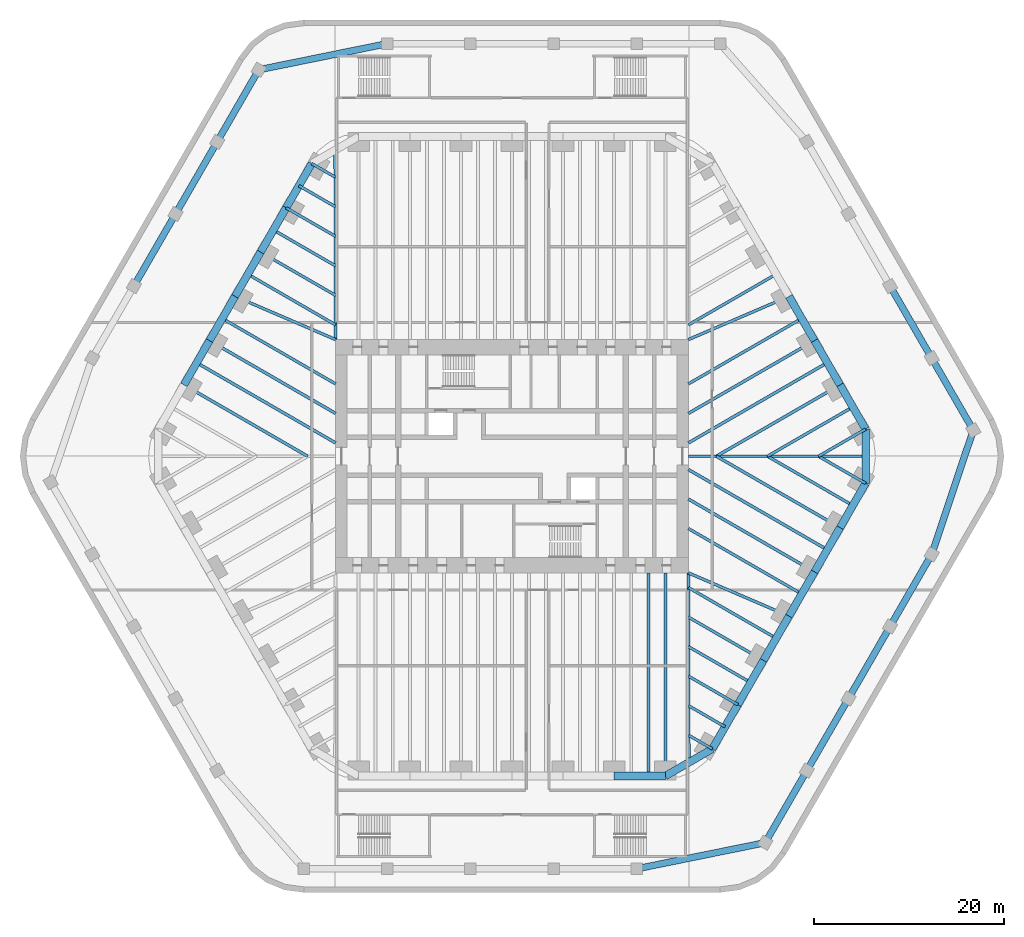
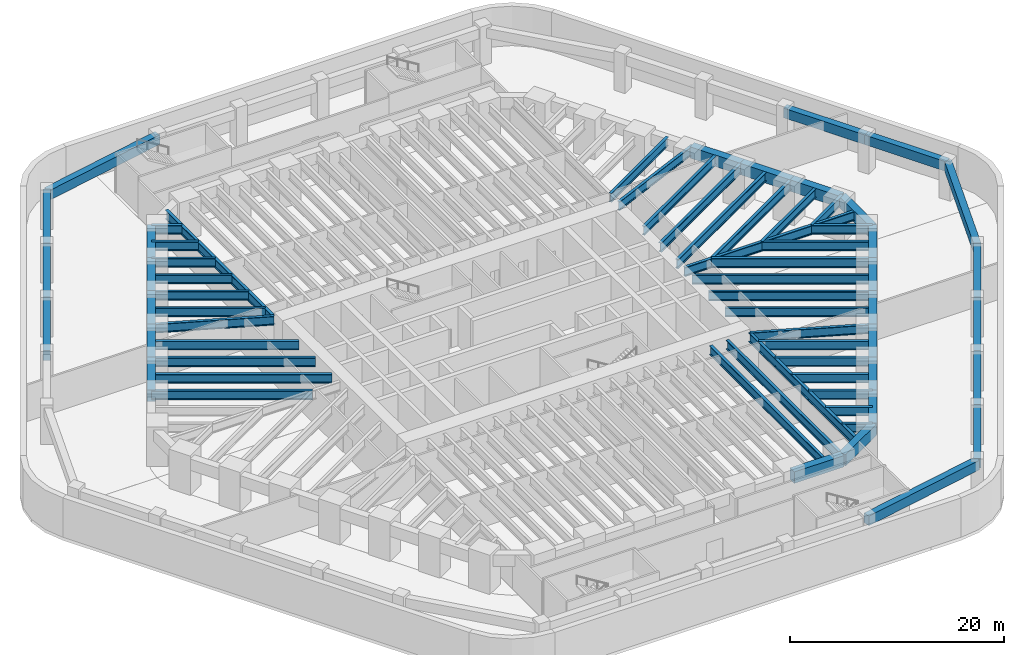
# One storey, part 2 of 12: 66 beams.
"""IFC4 building model written with IfcOpenShell, lengths in metres."""

import ifcopenshell
import ifcopenshell.guid

model = None  # the IFC model being written
_history = None  # IfcOwnerHistory: only IFC2X3 demands one
_inside = {}  # id of a spatial element -> (the spatial element, [elements in it])
_under = {}  # id of a project, library or spatial element -> (it, [spatial elements below it])
_declared = {}  # id of a project -> (the project, [libraries it declares])
_typed = {}  # id of a type object -> (the type object, [elements of that type])
_made_of = {}  # id of a material, layer set ... -> (it, [elements and type objects made of it])


def new_model(schema):
    """Start an empty IFC model of exactly this schema.

    Asked for "IFC4X3", IfcOpenShell would pick the latest addendum, in which some entities
    have other attributes; the version numbers below select the first issue.
    IFC2X3 requires an IfcOwnerHistory on every rooted entity: one is made here for all.
    """
    global model, _history
    if schema == "IFC4X3":
        model = ifcopenshell.file(schema_version=(4, 3, 0, 0))
    else:
        model = ifcopenshell.file(schema=schema)
    _inside.clear()
    _under.clear()
    _declared.clear()
    _typed.clear()
    _made_of.clear()
    _history = None
    if model.schema == "IFC2X3":
        org = make("IfcOrganization", Name="unknown")
        user = make(
            "IfcPersonAndOrganization",
            ThePerson=make("IfcPerson", FamilyName="unknown"),
            TheOrganization=org,
        )
        app = make(
            "IfcApplication",
            ApplicationDeveloper=org,
            Version="unknown",
            ApplicationFullName="unknown",
            ApplicationIdentifier="unknown",
        )
        _history = make(
            "IfcOwnerHistory",
            OwningUser=user,
            OwningApplication=app,
            ChangeAction="ADDED",
            CreationDate=0,
        )
    return model


def make(cls, **values):
    """One entity of the class cls with the attributes given. An attribute that is None is left unset."""
    return model.create_entity(
        cls, **{name: value for name, value in values.items() if value is not None}
    )


def rooted(cls, **values):
    """An entity with a GlobalId (a new one), such as an element, a storey or a relation."""
    return make(cls, GlobalId=ifcopenshell.guid.new(), OwnerHistory=_history, **values)


def si_unit(unit_type, name, prefix=None):
    """IfcSIUnit, for example si_unit("LENGTHUNIT", "METRE", prefix="MILLI")."""
    return make("IfcSIUnit", UnitType=unit_type, Prefix=prefix, Name=name)


def assignment(units):
    """IfcUnitAssignment: the units of a project."""
    return None if units is None else make("IfcUnitAssignment", Units=units)


def point(xyz):
    """IfcCartesianPoint."""
    return None if xyz is None else make("IfcCartesianPoint", Coordinates=xyz)


def direction(xyz):
    """IfcDirection."""
    return None if xyz is None else make("IfcDirection", DirectionRatios=xyz)


def frame(location, z_axis=None, x_axis=None):
    """IfcAxis2Placement3D, a coordinate frame: its origin and axes. An axis left out is left unset."""
    return make(
        "IfcAxis2Placement3D",
        Location=point(location),
        Axis=direction(z_axis),
        RefDirection=direction(x_axis),
    )


def frame_2d(location, x_axis=None):
    """IfcAxis2Placement2D, a coordinate frame in the plane: its origin and x axis."""
    return make(
        "IfcAxis2Placement2D", Location=point(location), RefDirection=direction(x_axis)
    )


def origin():
    """The frame at (0, 0, 0) with its axes left unset."""
    return frame((0.0, 0.0, 0.0))


def origin_2d():
    """The frame at (0, 0) in the plane with its x axis left unset."""
    return frame_2d((0.0, 0.0))


def place(relative_to, where):
    """IfcLocalPlacement: puts the frame where relative to a parent placement (None: the world)."""
    return make(
        "IfcLocalPlacement", PlacementRelTo=relative_to, RelativePlacement=where
    )


def context(
    kind, dimensions, precision=None, world=None, true_north=None, identifier=None
):
    """IfcGeometricRepresentationContext, for example the 3D "Model" context."""
    return make(
        "IfcGeometricRepresentationContext",
        ContextIdentifier=identifier,
        ContextType=kind,
        CoordinateSpaceDimension=dimensions,
        Precision=precision,
        WorldCoordinateSystem=world,
        TrueNorth=true_north,
    )


def subcontext(parent, identifier, kind, view, scale=None):
    """IfcGeometricRepresentationSubContext, for example "Body" below "Model"."""
    return make(
        "IfcGeometricRepresentationSubContext",
        ContextIdentifier=identifier,
        ContextType=kind,
        ParentContext=parent,
        TargetScale=scale,
        TargetView=view,
    )


def project(units=None, contexts=None):
    """IfcProject with its units and contexts."""
    return rooted(
        "IfcProject",
        Name="project",
        RepresentationContexts=contexts,
        UnitsInContext=assignment(units),
    )


def spatial(cls, under=None, at=None, **own):
    """A site, building, storey or space (cls), placed at a placement, below another one or the project."""
    s = rooted(cls, ObjectPlacement=at, **own)
    if under is not None:
        _under.setdefault(under.id(), (under, []))[1].append(s)
    return s


def profile(cls, at=None, kind="AREA", **sizes):
    """A parametric profile (cls). Its sizes go by their IFC names, for example OverallWidth=200.0."""
    return make(cls, ProfileType=kind, Position=at, **sizes)


def rectangle(**sizes):
    """IfcRectangleProfileDef."""
    return profile("IfcRectangleProfileDef", **sizes)


def i_section(**sizes):
    """IfcIShapeProfileDef."""
    return profile("IfcIShapeProfileDef", **sizes)


def extrude(swept, where, along, depth):
    """IfcExtrudedAreaSolid: the profile swept, set in the frame where, extruded along a direction by depth."""
    return make(
        "IfcExtrudedAreaSolid",
        SweptArea=swept,
        Position=where,
        ExtrudedDirection=direction(along),
        Depth=depth,
    )


def shape(context_of_items, identifier, shape_type, items):
    """IfcShapeRepresentation: the items that make up one representation, for example the "Body"."""
    return make(
        "IfcShapeRepresentation",
        ContextOfItems=context_of_items,
        RepresentationIdentifier=identifier,
        RepresentationType=shape_type,
        Items=items,
    )


def material(Name=None, Category=None):
    """IfcMaterial."""
    return make("IfcMaterial", Name=Name, Category=Category)


def material_profile(
    of_material, cross_section, Name=None, Category=None, Priority=None
):
    """IfcMaterialProfile: a cross section and its material."""
    return make(
        "IfcMaterialProfile",
        Name=Name,
        Material=of_material,
        Profile=cross_section,
        Priority=Priority,
        Category=Category,
    )


def profile_set(profiles, Name=None, composite=None):
    """IfcMaterialProfileSet."""
    return make(
        "IfcMaterialProfileSet",
        Name=Name,
        MaterialProfiles=profiles,
        CompositeProfile=composite,
    )


def made_of(thing, what):
    """Note that an element or type object is made of a material, layer set ...; save() writes the relation."""
    if what is not None:
        _made_of.setdefault(what.id(), (what, []))[1].append(thing)
    return thing


def type_object(cls, material=None, **own):
    """A type object (cls), such as IfcWallType, which elements share."""
    return made_of(rooted(cls, **own), material)


def element(
    cls,
    number,
    at=None,
    inside=None,
    cuts=None,
    type_object=None,
    material=None,
    context=None,
    identifier="Body",
    shape_type=None,
    held_by="IfcProductDefinitionShape",
    body=None,
    shapes=None,
    **own,
):
    """One element of the class cls, such as IfcWall. Its Tag is "e" and its number.

    at: its placement. inside: the storey or other place that contains it. cuts: it is an
    opening in that element (IfcRelVoidsElement). A single representation is given by context,
    identifier, shape_type and body (its items); several are given by shapes. held_by: the class
    of the entity that holds the representations. save() writes the other relations.
    """
    e = rooted(cls, Tag="e%d" % number, ObjectPlacement=at, **own)
    if body is not None:
        shapes = [shape(context, identifier, shape_type, body)]
    if shapes is not None:
        e.Representation = make(held_by, Representations=shapes)
    if inside is not None:
        _inside.setdefault(inside.id(), (inside, []))[1].append(e)
    if cuts is not None:
        rooted(
            "IfcRelVoidsElement", RelatingBuildingElement=cuts, RelatedOpeningElement=e
        )
    if type_object is not None:
        _typed.setdefault(type_object.id(), (type_object, []))[1].append(e)
    return made_of(e, material)


def aggregate(whole, parts):
    """IfcRelAggregates: a whole, such as a stair, and the parts it consists of."""
    return rooted("IfcRelAggregates", RelatingObject=whole, RelatedObjects=parts)


def save(model, path):
    """Write the relations noted so far, then the file.

    IfcRelAggregates (storeys below a building ...), IfcRelContainedInSpatialStructure (elements
    in a storey), IfcRelDefinesByType, IfcRelAssociatesMaterial and IfcRelDeclares: one each for
    every whole, place, type object, material and project.
    """
    for whole, parts in _under.values():
        aggregate(whole, parts)
    for where, things in _inside.values():
        rooted(
            "IfcRelContainedInSpatialStructure",
            RelatedElements=things,
            RelatingStructure=where,
        )
    for kind, things in _typed.values():
        rooted("IfcRelDefinesByType", RelatedObjects=things, RelatingType=kind)
    for what, things in _made_of.values():
        rooted("IfcRelAssociatesMaterial", RelatedObjects=things, RelatingMaterial=what)
    for by, libraries in _declared.values():
        rooted("IfcRelDeclares", RelatingContext=by, RelatedDefinitions=libraries)
    model.write(path)


model = new_model("IFC4")

# Units and contexts
model_context = context("Model", 3, precision=1e-05, world=origin(), true_north=direction((0.0, 1.0)))
body_context = subcontext(model_context, "Body", "Model", "MODEL_VIEW")
ifc_project = project(units=[si_unit("LENGTHUNIT", "METRE"), si_unit("AREAUNIT", "SQUARE_METRE"), si_unit("VOLUMEUNIT", "CUBIC_METRE"), si_unit("PLANEANGLEUNIT", "RADIAN"), si_unit("MASSUNIT", "GRAM", prefix="KILO")], contexts=[model_context])

# Site, building, storey
site_placement = place(None, origin())
site = spatial("IfcSite", under=ifc_project, at=site_placement, CompositionType="ELEMENT")
building_placement = place(site_placement, origin())
building = spatial("IfcBuilding", under=site, at=building_placement, Name="Tarfa Lantern Tower", CompositionType="ELEMENT")
storey_placement = place(building_placement, frame((0.0, 0.0, -4.5)))
storey = spatial("IfcBuildingStorey", under=building, at=storey_placement, Name="B1", CompositionType="ELEMENT", Elevation=-4.5)

# Beams
ifc_material_1 = material(Name="Concrete C80/95", Category="concrete")
ifc_material_profile_1 = material_profile(ifc_material_1, rectangle(XDim=0.800048828125, YDim=1.300048828125, at=origin_2d()), Name="RC 800x1300")
ifc_profile_set_1 = profile_set([ifc_material_profile_1], Name="Concrete C80/95")
beam_type_1 = type_object("IfcBeamType", Name="EB1 RC 800x1300", PredefinedType="SPANDREL", material=ifc_profile_set_1)
beam_1_placement = place(storey_placement, frame((37.285400390625, 2.860107421875, 3.5), z_axis=(-0.500017906299, 0.866015065331, 0.0), x_axis=(-0.866015065331, -0.500017906299, 0.0)))
element("IfcBeam", 1, at=beam_1_placement, inside=storey, type_object=beam_type_1, Name="Edge beam NE0", PredefinedType="SPANDREL", context=body_context, shape_type="SweptSolid", body=[
    extrude(rectangle(XDim=0.800048828125, YDim=1.300048828125, at=origin_2d()), origin(), (0.0, 0.0, 1.0), 5.388427734375),
])
for number, where, z_axis, x_axis, name in (
    (2, (34.591064453125, 7.526611328125, 3.5), (-0.499998287579, 0.866026392449, 0.0), (-0.866026392449, -0.499998287579, 0.0), "Edge beam NE1"),
    (3, (31.896728515625, 12.193359375, 3.5), (-0.499998287579, 0.866026392449, 0.0), (-0.866026392449, -0.499998287579, 0.0), "Edge beam NE2"),
    (4, (-21.119384765625, 30.860107421875, 3.5), (-0.499998287579, -0.866026392449, 0.0), (0.866026392449, -0.499998287579, 0.0), "Edge beam NW0"),
    (5, (-23.813720703125, 26.193359375, 3.5), (-0.499998287579, -0.866026392449, 0.0), (0.866026392449, -0.499998287579, 0.0), "Edge beam NW1"),
):
    element("IfcBeam", number, at=place(storey_placement, frame(where, z_axis=z_axis, x_axis=x_axis)), inside=storey, type_object=beam_type_1, Name=name, PredefinedType="SPANDREL", context=body_context, shape_type="SweptSolid", body=[
        extrude(rectangle(XDim=0.800048828125, YDim=1.300048828125, at=origin_2d()), origin(), (0.0, 0.0, 1.0), 5.388671875),
    ])
beam_2_placement = place(storey_placement, frame((-26.508056640625, 21.526611328125, 3.5), z_axis=(-0.500017906299, -0.866015065331, 0.0), x_axis=(0.866015065331, -0.500017906299, 0.0)))
element("IfcBeam", 6, at=beam_2_placement, inside=storey, type_object=beam_type_1, Name="Edge beam NW2", PredefinedType="SPANDREL", context=body_context, shape_type="SweptSolid", body=[
    extrude(rectangle(XDim=0.800048828125, YDim=1.300048828125, at=origin_2d()), origin(), (0.0, 0.0, 1.0), 5.388427734375),
])
for number, where, z_axis, x_axis, name in (
    (7, (-29.202392578125, 16.860107421875, 3.5), (-0.499998287579, -0.866026392449, 0.0), (0.866026392449, -0.499998287579, 0.0), "Edge beam NW3"),
    (8, (-31.896728515625, 12.193359375, 3.5), (-0.499998287579, -0.866026392449, 0.0), (0.866026392449, -0.499998287579, 0.0), "Edge beam NW4"),
    (9, (10.777099609375, -33.719970703125, 3.5), (1.0, 0.0, 0.0), (0.0, 1.0, 0.0), "Edge beam S5"),
):
    element("IfcBeam", number, at=place(storey_placement, frame(where, z_axis=z_axis, x_axis=x_axis)), inside=storey, type_object=beam_type_1, Name=name, PredefinedType="SPANDREL", context=body_context, shape_type="SweptSolid", body=[
        extrude(rectangle(XDim=0.800048828125, YDim=1.300048828125, at=origin_2d()), origin(), (0.0, 0.0, 1.0), 5.388671875),
    ])
beam_3_placement = place(storey_placement, frame((16.165771484375, -33.719970703125, 3.5), z_axis=(0.866033479681, 0.499986011877, 0.0), x_axis=(-0.499986011877, 0.866033479681, 0.0)))
element("IfcBeam", 10, at=beam_3_placement, inside=storey, type_object=beam_type_1, Name="Edge beam S6", PredefinedType="SPANDREL", context=body_context, shape_type="SweptSolid", body=[
    extrude(rectangle(XDim=0.800048828125, YDim=1.300048828125, at=origin_2d()), origin(), (0.0, 0.0, 1.0), 5.719970703125),
])
for number, where, z_axis, x_axis, name in (
    (11, (21.119384765625, -30.860107421875, 3.5), (0.499998287579, 0.866026392449, 0.0), (-0.866026392449, 0.499998287579, 0.0), "Edge beam SE0"),
    (12, (23.813720703125, -26.193359375, 3.5), (0.499998287579, 0.866026392449, 0.0), (-0.866026392449, 0.499998287579, 0.0), "Edge beam SE1"),
):
    element("IfcBeam", number, at=place(storey_placement, frame(where, z_axis=z_axis, x_axis=x_axis)), inside=storey, type_object=beam_type_1, Name=name, PredefinedType="SPANDREL", context=body_context, shape_type="SweptSolid", body=[
        extrude(rectangle(XDim=0.800048828125, YDim=1.300048828125, at=origin_2d()), origin(), (0.0, 0.0, 1.0), 5.388671875),
    ])
beam_4_placement = place(storey_placement, frame((26.508056640625, -21.526611328125, 3.5), z_axis=(0.500017906299, 0.866015065331, 0.0), x_axis=(-0.866015065331, 0.500017906299, 0.0)))
element("IfcBeam", 13, at=beam_4_placement, inside=storey, type_object=beam_type_1, Name="Edge beam SE2", PredefinedType="SPANDREL", context=body_context, shape_type="SweptSolid", body=[
    extrude(rectangle(XDim=0.800048828125, YDim=1.300048828125, at=origin_2d()), origin(), (0.0, 0.0, 1.0), 5.388427734375),
])
for number, where, z_axis, x_axis, name in (
    (14, (29.202392578125, -16.860107421875, 3.5), (0.499998287579, 0.866026392449, 0.0), (-0.866026392449, 0.499998287579, 0.0), "Edge beam SE3"),
    (15, (31.896728515625, -12.193359375, 3.5), (0.499998287579, 0.866026392449, 0.0), (-0.866026392449, 0.499998287579, 0.0), "Edge beam SE4"),
):
    element("IfcBeam", number, at=place(storey_placement, frame(where, z_axis=z_axis, x_axis=x_axis)), inside=storey, type_object=beam_type_1, Name=name, PredefinedType="SPANDREL", context=body_context, shape_type="SweptSolid", body=[
        extrude(rectangle(XDim=0.800048828125, YDim=1.300048828125, at=origin_2d()), origin(), (0.0, 0.0, 1.0), 5.388671875),
    ])
beam_5_placement = place(storey_placement, frame((34.591064453125, -7.526611328125, 3.5), z_axis=(0.500017906299, 0.866015065331, 0.0), x_axis=(-0.866015065331, 0.500017906299, 0.0)))
element("IfcBeam", 16, at=beam_5_placement, inside=storey, type_object=beam_type_1, Name="Edge beam SE5", PredefinedType="SPANDREL", context=body_context, shape_type="SweptSolid", body=[
    extrude(rectangle(XDim=0.800048828125, YDim=1.300048828125, at=origin_2d()), origin(), (0.0, 0.0, 1.0), 5.388427734375),
])
beam_6_placement = place(storey_placement, frame((37.285400390625, -2.860107421875, 3.5), z_axis=(0.0, 1.0, 0.0), x_axis=(-1.0, 0.0, 0.0)))
element("IfcBeam", 17, at=beam_6_placement, inside=storey, type_object=beam_type_1, Name="Edge beam SE6", PredefinedType="SPANDREL", context=body_context, shape_type="SweptSolid", body=[
    extrude(rectangle(XDim=0.800048828125, YDim=1.300048828125, at=origin_2d()), origin(), (0.0, 0.0, 1.0), 5.72021484375),
])
ifc_material_profile_2 = material_profile(ifc_material_1, rectangle(XDim=0.699951171875, YDim=1.10009765625, at=origin_2d()), Name="RC 700x1100")
ifc_profile_set_2 = profile_set([ifc_material_profile_2], Name="Concrete C80/95")
beam_type_2 = type_object("IfcBeamType", Name="PB1 RC 700x1100", PredefinedType="BEAM", material=ifc_profile_set_2)
beam_7_placement = place(storey_placement, frame((48.641845703125, 2.75, 3.60009765625), z_axis=(-0.50000179687, 0.866024366359, 0.0), x_axis=(-0.866024366359, -0.50000179687, 0.0)))
element("IfcBeam", 18, at=beam_7_placement, inside=storey, type_object=beam_type_2, Name="Podium ring beam NE0", PredefinedType="BEAM", context=body_context, shape_type="SweptSolid", body=[
    extrude(rectangle(XDim=0.699951171875, YDim=1.10009765625, at=origin_2d()), origin(), (0.0, 0.0, 1.0), 8.77587890625),
])
beam_8_placement = place(storey_placement, frame((44.25390625, 10.35009765625, 3.60009765625), z_axis=(-0.500013843384, 0.866017411155, 0.0), x_axis=(-0.866017411155, -0.500013843384, 0.0)))
element("IfcBeam", 19, at=beam_8_placement, inside=storey, type_object=beam_type_2, Name="Podium ring beam NE1", PredefinedType="BEAM", context=body_context, shape_type="SweptSolid", body=[
    extrude(rectangle(XDim=0.699951171875, YDim=1.10009765625, at=origin_2d()), origin(), (0.0, 0.0, 1.0), 8.775634765625),
])
beam_9_placement = place(storey_placement, frame((-13.16357421875, 43.5, 3.60009765625), z_axis=(-0.979988342999, -0.199054885863, 0.0), x_axis=(0.199054885863, -0.979988342999, 0.0)))
element("IfcBeam", 20, at=beam_9_placement, inside=storey, type_object=beam_type_2, Name="Podium ring beam N4", PredefinedType="BEAM", context=body_context, shape_type="SweptSolid", body=[
    extrude(rectangle(XDim=0.699951171875, YDim=1.10009765625, at=origin_2d()), origin(), (0.0, 0.0, 1.0), 13.815185546875),
])
beam_10_placement = place(storey_placement, frame((-26.702392578125, 40.75, 3.60009765625), z_axis=(-0.50000179687, -0.866024366359, 0.0), x_axis=(0.866024366359, -0.50000179687, 0.0)))
element("IfcBeam", 21, at=beam_10_placement, inside=storey, type_object=beam_type_2, Name="Podium ring beam NW0", PredefinedType="BEAM", context=body_context, shape_type="SweptSolid", body=[
    extrude(rectangle(XDim=0.699951171875, YDim=1.10009765625, at=origin_2d()), origin(), (0.0, 0.0, 1.0), 8.77587890625),
])
for number, where, z_axis, x_axis, name in (
    (22, (-31.09033203125, 33.14990234375, 3.60009765625), (-0.500013843384, -0.866017411155, 0.0), (0.866017411155, -0.500013843384, 0.0), "Podium ring beam NW1"),
    (23, (-35.478271484375, 25.550048828125, 3.60009765625), (-0.499980931779, -0.866036412547, 0.0), (0.866036412547, -0.499980931779, 0.0), "Podium ring beam NW2"),
):
    element("IfcBeam", number, at=place(storey_placement, frame(where, z_axis=z_axis, x_axis=x_axis)), inside=storey, type_object=beam_type_2, Name=name, PredefinedType="BEAM", context=body_context, shape_type="SweptSolid", body=[
        extrude(rectangle(XDim=0.699951171875, YDim=1.10009765625, at=origin_2d()), origin(), (0.0, 0.0, 1.0), 8.775634765625),
    ])
beam_11_placement = place(storey_placement, frame((13.16357421875, -43.5, 3.60009765625), z_axis=(0.979988342999, 0.199054885863, 0.0), x_axis=(-0.199054885863, 0.979988342999, 0.0)))
element("IfcBeam", 24, at=beam_11_placement, inside=storey, type_object=beam_type_2, Name="Podium ring beam S4", PredefinedType="BEAM", context=body_context, shape_type="SweptSolid", body=[
    extrude(rectangle(XDim=0.699951171875, YDim=1.10009765625, at=origin_2d()), origin(), (0.0, 0.0, 1.0), 13.815185546875),
])
beam_12_placement = place(storey_placement, frame((26.702392578125, -40.75, 3.60009765625), z_axis=(0.50000179687, 0.866024366359, 0.0), x_axis=(-0.866024366359, 0.50000179687, 0.0)))
element("IfcBeam", 25, at=beam_12_placement, inside=storey, type_object=beam_type_2, Name="Podium ring beam SE0", PredefinedType="BEAM", context=body_context, shape_type="SweptSolid", body=[
    extrude(rectangle(XDim=0.699951171875, YDim=1.10009765625, at=origin_2d()), origin(), (0.0, 0.0, 1.0), 8.77587890625),
])
for number, where, z_axis, x_axis, name in (
    (26, (31.09033203125, -33.14990234375, 3.60009765625), (0.500013843384, 0.866017411155, 0.0), (-0.866017411155, 0.500013843384, 0.0), "Podium ring beam SE1"),
    (27, (35.478271484375, -25.550048828125, 3.60009765625), (0.499980931779, 0.866036412547, 0.0), (-0.866036412547, 0.499980931779, 0.0), "Podium ring beam SE2"),
    (28, (39.865966796875, -17.949951171875, 3.60009765625), (0.500013843384, 0.866017411155, 0.0), (-0.866017411155, 0.500013843384, 0.0), "Podium ring beam SE3"),
):
    element("IfcBeam", number, at=place(storey_placement, frame(where, z_axis=z_axis, x_axis=x_axis)), inside=storey, type_object=beam_type_2, Name=name, PredefinedType="BEAM", context=body_context, shape_type="SweptSolid", body=[
        extrude(rectangle(XDim=0.699951171875, YDim=1.10009765625, at=origin_2d()), origin(), (0.0, 0.0, 1.0), 8.775634765625),
    ])
beam_13_placement = place(storey_placement, frame((44.25390625, -10.35009765625, 3.60009765625), z_axis=(0.317611113529, 0.948221061021, 0.0), x_axis=(-0.948221061021, 0.317611113529, 0.0)))
element("IfcBeam", 29, at=beam_13_placement, inside=storey, type_object=beam_type_2, Name="Podium ring beam SE4", PredefinedType="BEAM", context=body_context, shape_type="SweptSolid", body=[
    extrude(rectangle(XDim=0.699951171875, YDim=1.10009765625, at=origin_2d()), origin(), (0.0, 0.0, 1.0), 13.8154296875),
])
ifc_material_2 = material(Name="Steel S460M", Category="steel")
ifc_material_profile_3 = material_profile(ifc_material_2, i_section(OverallWidth=0.302001953125, OverallDepth=1.008056640625, WebThickness=0.02099609375, FlangeThickness=0.0400390625, FilletRadius=0.030029296875, at=origin_2d()), Name="UB1016x305x349")
ifc_profile_set_3 = profile_set([ifc_material_profile_3], Name="Steel S460M")
beam_type_3 = type_object("IfcBeamType", Name="UB1016x305x349", PredefinedType="BEAM", material=ifc_profile_set_3)
beam_14_placement = place(storey_placement, frame((37.285400390625, 2.860107421875, 3.64599609375), z_axis=(-0.866025668288, -0.499999541866, 0.0), x_axis=(0.499999541866, -0.866025668288, 0.0)))
element("IfcBeam", 30, at=beam_14_placement, inside=storey, type_object=beam_type_3, Name="Floor beam NE0", PredefinedType="BEAM", context=body_context, shape_type="SweptSolid", body=[
    extrude(i_section(OverallWidth=0.302001953125, OverallDepth=1.008056640625, WebThickness=0.02099609375, FlangeThickness=0.0400390625, FilletRadius=0.030029296875, at=origin_2d()), origin(), (0.0, 0.0, 1.0), 5.72021484375),
])
beam_15_placement = place(storey_placement, frame((29.202392578125, 16.860107421875, 3.64599609375), z_axis=(-0.918635483867, -0.395106122175, 0.0), x_axis=(0.395106122175, -0.918635483867, 0.0)))
element("IfcBeam", 31, at=beam_15_placement, inside=storey, type_object=beam_type_3, Name="Floor beam NE3", PredefinedType="BEAM", context=body_context, shape_type="SweptSolid", body=[
    extrude(i_section(OverallWidth=0.302001953125, OverallDepth=1.008056640625, WebThickness=0.02099609375, FlangeThickness=0.0400390625, FilletRadius=0.030029296875, at=origin_2d()), origin(), (0.0, 0.0, 1.0), 11.541259765625),
])
beam_16_placement = place(storey_placement, frame((-21.119384765625, 30.860107421875, 3.64599609375), z_axis=(0.866012580594, -0.500022209759, 0.0), x_axis=(0.500022209759, 0.866012580594, 0.0)))
element("IfcBeam", 32, at=beam_16_placement, inside=storey, type_object=beam_type_3, Name="Floor beam NW0", PredefinedType="BEAM", context=body_context, shape_type="SweptSolid", body=[
    extrude(i_section(OverallWidth=0.302001953125, OverallDepth=1.008056640625, WebThickness=0.02099609375, FlangeThickness=0.0400390625, FilletRadius=0.030029296875, at=origin_2d()), origin(), (0.0, 0.0, 1.0), 2.866943359375),
])
beam_17_placement = place(storey_placement, frame((-23.813720703125, 26.193359375, 3.64599609375), z_axis=(0.866015997389, -0.500016292001, 0.0), x_axis=(0.500016292001, 0.866015997389, 0.0)))
element("IfcBeam", 33, at=beam_17_placement, inside=storey, type_object=beam_type_3, Name="Floor beam NW1", PredefinedType="BEAM", context=body_context, shape_type="SweptSolid", body=[
    extrude(i_section(OverallWidth=0.302001953125, OverallDepth=1.008056640625, WebThickness=0.02099609375, FlangeThickness=0.0400390625, FilletRadius=0.030029296875, at=origin_2d()), origin(), (0.0, 0.0, 1.0), 5.993408203125),
])
beam_18_placement = place(storey_placement, frame((-26.508056640625, 21.526611328125, 3.64599609375), z_axis=(0.866035355799, -0.49998276221, 0.0), x_axis=(0.49998276221, 0.866035355799, 0.0)))
element("IfcBeam", 34, at=beam_18_placement, inside=storey, type_object=beam_type_3, Name="Floor beam NW2", PredefinedType="BEAM", context=body_context, shape_type="SweptSolid", body=[
    extrude(i_section(OverallWidth=0.302001953125, OverallDepth=1.008056640625, WebThickness=0.02099609375, FlangeThickness=0.0400390625, FilletRadius=0.030029296875, at=origin_2d()), origin(), (0.0, 0.0, 1.0), 9.119873046875),
])
beam_19_placement = place(storey_placement, frame((-29.202392578125, 16.860107421875, 3.64599609375), z_axis=(0.918635483867, -0.395106122175, 0.0), x_axis=(0.395106122175, 0.918635483867, 0.0)))
element("IfcBeam", 35, at=beam_19_placement, inside=storey, type_object=beam_type_3, Name="Floor beam NW3", PredefinedType="BEAM", context=body_context, shape_type="SweptSolid", body=[
    extrude(i_section(OverallWidth=0.302001953125, OverallDepth=1.008056640625, WebThickness=0.02099609375, FlangeThickness=0.0400390625, FilletRadius=0.030029296875, at=origin_2d()), origin(), (0.0, 0.0, 1.0), 11.541259765625),
])
beam_20_placement = place(storey_placement, frame((21.119384765625, -30.860107421875, 3.64599609375), z_axis=(-0.866012580594, 0.500022209759, 0.0), x_axis=(-0.500022209759, -0.866012580594, 0.0)))
element("IfcBeam", 36, at=beam_20_placement, inside=storey, type_object=beam_type_3, Name="Floor beam SE0", PredefinedType="BEAM", context=body_context, shape_type="SweptSolid", body=[
    extrude(i_section(OverallWidth=0.302001953125, OverallDepth=1.008056640625, WebThickness=0.02099609375, FlangeThickness=0.0400390625, FilletRadius=0.030029296875, at=origin_2d()), origin(), (0.0, 0.0, 1.0), 2.866943359375),
])
beam_21_placement = place(storey_placement, frame((23.813720703125, -26.193359375, 3.64599609375), z_axis=(-0.866015997389, 0.500016292001, 0.0), x_axis=(-0.500016292001, -0.866015997389, 0.0)))
element("IfcBeam", 37, at=beam_21_placement, inside=storey, type_object=beam_type_3, Name="Floor beam SE1", PredefinedType="BEAM", context=body_context, shape_type="SweptSolid", body=[
    extrude(i_section(OverallWidth=0.302001953125, OverallDepth=1.008056640625, WebThickness=0.02099609375, FlangeThickness=0.0400390625, FilletRadius=0.030029296875, at=origin_2d()), origin(), (0.0, 0.0, 1.0), 5.993408203125),
])
beam_22_placement = place(storey_placement, frame((26.508056640625, -21.526611328125, 3.64599609375), z_axis=(-0.866035355799, 0.49998276221, 0.0), x_axis=(-0.49998276221, -0.866035355799, 0.0)))
element("IfcBeam", 38, at=beam_22_placement, inside=storey, type_object=beam_type_3, Name="Floor beam SE2", PredefinedType="BEAM", context=body_context, shape_type="SweptSolid", body=[
    extrude(i_section(OverallWidth=0.302001953125, OverallDepth=1.008056640625, WebThickness=0.02099609375, FlangeThickness=0.0400390625, FilletRadius=0.030029296875, at=origin_2d()), origin(), (0.0, 0.0, 1.0), 9.119873046875),
])
beam_23_placement = place(storey_placement, frame((29.202392578125, -16.860107421875, 3.64599609375), z_axis=(-0.918635483867, 0.395106122175, 0.0), x_axis=(-0.395106122175, -0.918635483867, 0.0)))
element("IfcBeam", 39, at=beam_23_placement, inside=storey, type_object=beam_type_3, Name="Floor beam SE3", PredefinedType="BEAM", context=body_context, shape_type="SweptSolid", body=[
    extrude(i_section(OverallWidth=0.302001953125, OverallDepth=1.008056640625, WebThickness=0.02099609375, FlangeThickness=0.0400390625, FilletRadius=0.030029296875, at=origin_2d()), origin(), (0.0, 0.0, 1.0), 11.541259765625),
])
beam_24_placement = place(storey_placement, frame((37.285400390625, -2.860107421875, 3.64599609375), z_axis=(-0.866025668288, 0.499999541866, 0.0), x_axis=(-0.499999541866, -0.866025668288, 0.0)))
element("IfcBeam", 40, at=beam_24_placement, inside=storey, type_object=beam_type_3, Name="Floor beam SE6", PredefinedType="BEAM", context=body_context, shape_type="SweptSolid", body=[
    extrude(i_section(OverallWidth=0.302001953125, OverallDepth=1.008056640625, WebThickness=0.02099609375, FlangeThickness=0.0400390625, FilletRadius=0.030029296875, at=origin_2d()), origin(), (0.0, 0.0, 1.0), 5.72021484375),
])
beam_25_placement = place(storey_placement, frame((35.938232421875, 5.193359375, 3.64599609375), z_axis=(-0.866024317969, -0.500001880682, 0.0), x_axis=(0.500001880682, -0.866024317969, 0.0)))
element("IfcBeam", 41, at=beam_25_placement, inside=storey, type_object=beam_type_3, Name="Floor beam NE0M", PredefinedType="BEAM", context=body_context, shape_type="SweptSolid", body=[
    extrude(i_section(OverallWidth=0.302001953125, OverallDepth=1.008056640625, WebThickness=0.02099609375, FlangeThickness=0.0400390625, FilletRadius=0.030029296875, at=origin_2d()), origin(), (0.0, 0.0, 1.0), 10.38671875),
])
beam_26_placement = place(storey_placement, frame((30.549560546875, 14.526611328125, 3.64599609375), z_axis=(-0.866028536827, -0.499994573371, 0.0), x_axis=(0.499994573371, -0.866028536827, 0.0)))
element("IfcBeam", 42, at=beam_26_placement, inside=storey, type_object=beam_type_3, Name="Floor beam NE2M", PredefinedType="BEAM", context=body_context, shape_type="SweptSolid", body=[
    extrude(i_section(OverallWidth=0.302001953125, OverallDepth=1.008056640625, WebThickness=0.02099609375, FlangeThickness=0.0400390625, FilletRadius=0.030029296875, at=origin_2d()), origin(), (0.0, 0.0, 1.0), 13.798095703125),
])
beam_27_placement = place(storey_placement, frame((27.855224609375, 19.193359375, 3.64599609375), z_axis=(-0.866028034017, -0.499995444275, 0.0), x_axis=(0.499995444275, -0.866028034017, 0.0)))
element("IfcBeam", 43, at=beam_27_placement, inside=storey, type_object=beam_type_3, Name="Floor beam NE3M", PredefinedType="BEAM", context=body_context, shape_type="SweptSolid", body=[
    extrude(i_section(OverallWidth=0.302001953125, OverallDepth=1.008056640625, WebThickness=0.02099609375, FlangeThickness=0.0400390625, FilletRadius=0.030029296875, at=origin_2d()), origin(), (0.0, 0.0, 1.0), 10.68310546875),
])
beam_28_placement = place(storey_placement, frame((-22.466552734375, 28.526611328125, 3.64599609375), z_axis=(0.866026823135, -0.499997541604, 0.0), x_axis=(0.499997541604, 0.866026823135, 0.0)))
element("IfcBeam", 44, at=beam_28_placement, inside=storey, type_object=beam_type_3, Name="Floor beam NW0M", PredefinedType="BEAM", context=body_context, shape_type="SweptSolid", body=[
    extrude(i_section(OverallWidth=0.302001953125, OverallDepth=1.008056640625, WebThickness=0.02099609375, FlangeThickness=0.0400390625, FilletRadius=0.030029296875, at=origin_2d()), origin(), (0.0, 0.0, 1.0), 4.43017578125),
])
beam_29_placement = place(storey_placement, frame((-25.160888671875, 23.860107421875, 3.64599609375), z_axis=(0.866009650502, -0.500027284493, 0.0), x_axis=(0.500027284493, 0.866009650502, 0.0)))
element("IfcBeam", 45, at=beam_29_placement, inside=storey, type_object=beam_type_3, Name="Floor beam NW1M", PredefinedType="BEAM", context=body_context, shape_type="SweptSolid", body=[
    extrude(i_section(OverallWidth=0.302001953125, OverallDepth=1.008056640625, WebThickness=0.02099609375, FlangeThickness=0.0400390625, FilletRadius=0.030029296875, at=origin_2d()), origin(), (0.0, 0.0, 1.0), 7.556640625),
])
beam_30_placement = place(storey_placement, frame((-27.855224609375, 19.193359375, 3.64599609375), z_axis=(0.866028034017, -0.499995444275, 0.0), x_axis=(0.499995444275, 0.866028034017, 0.0)))
element("IfcBeam", 46, at=beam_30_placement, inside=storey, type_object=beam_type_3, Name="Floor beam NW2M", PredefinedType="BEAM", context=body_context, shape_type="SweptSolid", body=[
    extrude(i_section(OverallWidth=0.302001953125, OverallDepth=1.008056640625, WebThickness=0.02099609375, FlangeThickness=0.0400390625, FilletRadius=0.030029296875, at=origin_2d()), origin(), (0.0, 0.0, 1.0), 10.68310546875),
])
beam_31_placement = place(storey_placement, frame((-30.549560546875, 14.526611328125, 3.64599609375), z_axis=(0.866028536827, -0.499994573371, 0.0), x_axis=(0.499994573371, 0.866028536827, 0.0)))
element("IfcBeam", 47, at=beam_31_placement, inside=storey, type_object=beam_type_3, Name="Floor beam NW3M", PredefinedType="BEAM", context=body_context, shape_type="SweptSolid", body=[
    extrude(i_section(OverallWidth=0.302001953125, OverallDepth=1.008056640625, WebThickness=0.02099609375, FlangeThickness=0.0400390625, FilletRadius=0.030029296875, at=origin_2d()), origin(), (0.0, 0.0, 1.0), 13.798095703125),
])
beam_32_placement = place(storey_placement, frame((22.466552734375, -28.526611328125, 3.64599609375), z_axis=(-0.866026823135, 0.499997541604, 0.0), x_axis=(-0.499997541604, -0.866026823135, 0.0)))
element("IfcBeam", 48, at=beam_32_placement, inside=storey, type_object=beam_type_3, Name="Floor beam SE0M", PredefinedType="BEAM", context=body_context, shape_type="SweptSolid", body=[
    extrude(i_section(OverallWidth=0.302001953125, OverallDepth=1.008056640625, WebThickness=0.02099609375, FlangeThickness=0.0400390625, FilletRadius=0.030029296875, at=origin_2d()), origin(), (0.0, 0.0, 1.0), 4.43017578125),
])
beam_33_placement = place(storey_placement, frame((25.160888671875, -23.860107421875, 3.64599609375), z_axis=(-0.866009650502, 0.500027284493, 0.0), x_axis=(-0.500027284493, -0.866009650502, 0.0)))
element("IfcBeam", 49, at=beam_33_placement, inside=storey, type_object=beam_type_3, Name="Floor beam SE1M", PredefinedType="BEAM", context=body_context, shape_type="SweptSolid", body=[
    extrude(i_section(OverallWidth=0.302001953125, OverallDepth=1.008056640625, WebThickness=0.02099609375, FlangeThickness=0.0400390625, FilletRadius=0.030029296875, at=origin_2d()), origin(), (0.0, 0.0, 1.0), 7.556640625),
])
beam_34_placement = place(storey_placement, frame((27.855224609375, -19.193359375, 3.64599609375), z_axis=(-0.866028034017, 0.499995444275, 0.0), x_axis=(-0.499995444275, -0.866028034017, 0.0)))
element("IfcBeam", 50, at=beam_34_placement, inside=storey, type_object=beam_type_3, Name="Floor beam SE2M", PredefinedType="BEAM", context=body_context, shape_type="SweptSolid", body=[
    extrude(i_section(OverallWidth=0.302001953125, OverallDepth=1.008056640625, WebThickness=0.02099609375, FlangeThickness=0.0400390625, FilletRadius=0.030029296875, at=origin_2d()), origin(), (0.0, 0.0, 1.0), 10.68310546875),
])
beam_35_placement = place(storey_placement, frame((30.549560546875, -14.526611328125, 3.64599609375), z_axis=(-0.866028536827, 0.499994573371, 0.0), x_axis=(-0.499994573371, -0.866028536827, 0.0)))
element("IfcBeam", 51, at=beam_35_placement, inside=storey, type_object=beam_type_3, Name="Floor beam SE3M", PredefinedType="BEAM", context=body_context, shape_type="SweptSolid", body=[
    extrude(i_section(OverallWidth=0.302001953125, OverallDepth=1.008056640625, WebThickness=0.02099609375, FlangeThickness=0.0400390625, FilletRadius=0.030029296875, at=origin_2d()), origin(), (0.0, 0.0, 1.0), 13.798095703125),
])
beam_36_placement = place(storey_placement, frame((35.938232421875, -5.193359375, 3.64599609375), z_axis=(-0.866024317969, 0.500001880682, 0.0), x_axis=(-0.500001880682, -0.866024317969, 0.0)))
element("IfcBeam", 52, at=beam_36_placement, inside=storey, type_object=beam_type_3, Name="Floor beam SE5M", PredefinedType="BEAM", context=body_context, shape_type="SweptSolid", body=[
    extrude(i_section(OverallWidth=0.302001953125, OverallDepth=1.008056640625, WebThickness=0.02099609375, FlangeThickness=0.0400390625, FilletRadius=0.030029296875, at=origin_2d()), origin(), (0.0, 0.0, 1.0), 10.38671875),
])
ifc_material_profile_4 = material_profile(ifc_material_2, i_section(OverallWidth=0.314208984375, OverallDepth=1.055908203125, WebThickness=0.035888671875, FlangeThickness=0.06396484375, FilletRadius=0.030029296875, at=origin_2d()), Name="UB1016x305x584")
ifc_profile_set_4 = profile_set([ifc_material_profile_4], Name="Steel S460M")
beam_type_4 = type_object("IfcBeamType", Name="UB1016x305x584", PredefinedType="BEAM", material=ifc_profile_set_4)
beam_37_placement = place(storey_placement, frame((18.60009765625, 0.0, 3.6220703125), z_axis=(1.0, 0.0, 0.0), x_axis=(0.0, 1.0, 0.0)))
element("IfcBeam", 53, at=beam_37_placement, inside=storey, type_object=beam_type_4, Name="Hip girder E", PredefinedType="BEAM", context=body_context, shape_type="SweptSolid", body=[
    extrude(i_section(OverallWidth=0.314208984375, OverallDepth=1.055908203125, WebThickness=0.035888671875, FlangeThickness=0.06396484375, FilletRadius=0.030029296875, at=origin_2d()), origin(), (0.0, 0.0, 1.0), 18.685302734375),
])
for number, where, z_axis, x_axis, name in (
    (54, (-18.60009765625, 12.300048828125, 3.6220703125), (-0.00212508222, 0.99999774201, 0.0), (-0.99999774201, -0.00212508222, 0.0), "Hip girder NW"),
    (55, (18.60009765625, -12.300048828125, 3.6220703125), (0.00212508222, -0.99999774201, 0.0), (0.99999774201, 0.00212508222, 0.0), "Hip girder SE"),
):
    element("IfcBeam", number, at=place(storey_placement, frame(where, z_axis=z_axis, x_axis=x_axis)), inside=storey, type_object=beam_type_4, Name=name, PredefinedType="BEAM", context=body_context, shape_type="SweptSolid", body=[
        extrude(i_section(OverallWidth=0.314208984375, OverallDepth=1.055908203125, WebThickness=0.035888671875, FlangeThickness=0.06396484375, FilletRadius=0.030029296875, at=origin_2d()), origin(), (0.0, 0.0, 1.0), 19.989990234375),
    ])
beam_38_placement = place(storey_placement, frame((34.591064453125, 7.526611328125, 3.6220703125), z_axis=(-0.86602785945, -0.499995746638, 0.0), x_axis=(0.499995746638, -0.86602785945, 0.0)))
element("IfcBeam", 56, at=beam_38_placement, inside=storey, type_object=beam_type_4, Name="Floor beam NE1", PredefinedType="BEAM", context=body_context, shape_type="SweptSolid", body=[
    extrude(i_section(OverallWidth=0.314208984375, OverallDepth=1.055908203125, WebThickness=0.035888671875, FlangeThickness=0.06396484375, FilletRadius=0.030029296875, at=origin_2d()), origin(), (0.0, 0.0, 1.0), 15.053466796875),
])
for number, where, z_axis, x_axis, name in (
    (57, (31.896728515625, 12.193359375, 3.6220703125), (-0.866026971665, -0.499997284341, 0.0), (0.499997284341, -0.866026971665, 0.0), "Floor beam NE2"),
    (58, (-31.896728515625, 12.193359375, 3.6220703125), (0.866026971665, -0.499997284341, 0.0), (0.499997284341, 0.866026971665, 0.0), "Floor beam NW4"),
):
    element("IfcBeam", number, at=place(storey_placement, frame(where, z_axis=z_axis, x_axis=x_axis)), inside=storey, type_object=beam_type_4, Name=name, PredefinedType="BEAM", context=body_context, shape_type="SweptSolid", body=[
        extrude(i_section(OverallWidth=0.314208984375, OverallDepth=1.055908203125, WebThickness=0.035888671875, FlangeThickness=0.06396484375, FilletRadius=0.030029296875, at=origin_2d()), origin(), (0.0, 0.0, 1.0), 15.353515625),
    ])
beam_39_placement = place(storey_placement, frame((-34.591064453125, 7.526611328125, 3.6220703125), z_axis=(0.86602785945, -0.499995746638, 0.0), x_axis=(0.499995746638, 0.86602785945, 0.0)))
element("IfcBeam", 59, at=beam_39_placement, inside=storey, type_object=beam_type_4, Name="Floor beam NW5", PredefinedType="BEAM", context=body_context, shape_type="SweptSolid", body=[
    extrude(i_section(OverallWidth=0.314208984375, OverallDepth=1.055908203125, WebThickness=0.035888671875, FlangeThickness=0.06396484375, FilletRadius=0.030029296875, at=origin_2d()), origin(), (0.0, 0.0, 1.0), 15.053466796875),
])
beam_40_placement = place(storey_placement, frame((16.165771484375, -33.719970703125, 3.6220703125), z_axis=(0.0, 1.0, 0.0), x_axis=(-1.0, 0.0, 0.0)))
element("IfcBeam", 60, at=beam_40_placement, inside=storey, type_object=beam_type_4, Name="Floor beam S6", PredefinedType="BEAM", context=body_context, shape_type="SweptSolid", body=[
    extrude(i_section(OverallWidth=0.314208984375, OverallDepth=1.055908203125, WebThickness=0.035888671875, FlangeThickness=0.06396484375, FilletRadius=0.030029296875, at=origin_2d()), origin(), (0.0, 0.0, 1.0), 21.419921875),
])
beam_41_placement = place(storey_placement, frame((31.896728515625, -12.193359375, 3.6220703125), z_axis=(-0.866026971665, 0.499997284341, 0.0), x_axis=(-0.499997284341, -0.866026971665, 0.0)))
element("IfcBeam", 61, at=beam_41_placement, inside=storey, type_object=beam_type_4, Name="Floor beam SE4", PredefinedType="BEAM", context=body_context, shape_type="SweptSolid", body=[
    extrude(i_section(OverallWidth=0.314208984375, OverallDepth=1.055908203125, WebThickness=0.035888671875, FlangeThickness=0.06396484375, FilletRadius=0.030029296875, at=origin_2d()), origin(), (0.0, 0.0, 1.0), 15.353515625),
])
beam_42_placement = place(storey_placement, frame((34.591064453125, -7.526611328125, 3.6220703125), z_axis=(-0.86602785945, 0.499995746638, 0.0), x_axis=(-0.499995746638, -0.86602785945, 0.0)))
element("IfcBeam", 62, at=beam_42_placement, inside=storey, type_object=beam_type_4, Name="Floor beam SE5", PredefinedType="BEAM", context=body_context, shape_type="SweptSolid", body=[
    extrude(i_section(OverallWidth=0.314208984375, OverallDepth=1.055908203125, WebThickness=0.035888671875, FlangeThickness=0.06396484375, FilletRadius=0.030029296875, at=origin_2d()), origin(), (0.0, 0.0, 1.0), 15.053466796875),
])
for number, where, z_axis, x_axis, name in (
    (63, (33.243896484375, 9.860107421875, 3.6220703125), (-0.866019442478, -0.500010325144, 0.0), (0.500010325144, -0.866019442478, 0.0), "Floor beam NE1M"),
    (64, (-33.243896484375, 9.860107421875, 3.6220703125), (0.866019442478, -0.500010325144, 0.0), (0.500010325144, 0.866019442478, 0.0), "Floor beam NW4M"),
):
    element("IfcBeam", number, at=place(storey_placement, frame(where, z_axis=z_axis, x_axis=x_axis)), inside=storey, type_object=beam_type_4, Name=name, PredefinedType="BEAM", context=body_context, shape_type="SweptSolid", body=[
        extrude(i_section(OverallWidth=0.314208984375, OverallDepth=1.055908203125, WebThickness=0.035888671875, FlangeThickness=0.06396484375, FilletRadius=0.030029296875, at=origin_2d()), origin(), (0.0, 0.0, 1.0), 16.909423828125),
    ])
beam_43_placement = place(storey_placement, frame((14.36962890625, -33.719970703125, 3.6220703125), z_axis=(0.0, 1.0, 0.0), x_axis=(-1.0, 0.0, 0.0)))
element("IfcBeam", 65, at=beam_43_placement, inside=storey, type_object=beam_type_4, Name="Floor beam S5M2", PredefinedType="BEAM", context=body_context, shape_type="SweptSolid", body=[
    extrude(i_section(OverallWidth=0.314208984375, OverallDepth=1.055908203125, WebThickness=0.035888671875, FlangeThickness=0.06396484375, FilletRadius=0.030029296875, at=origin_2d()), origin(), (0.0, 0.0, 1.0), 21.419921875),
])
beam_44_placement = place(storey_placement, frame((33.243896484375, -9.860107421875, 3.6220703125), z_axis=(-0.866019442478, 0.500010325144, 0.0), x_axis=(-0.500010325144, -0.866019442478, 0.0)))
element("IfcBeam", 66, at=beam_44_placement, inside=storey, type_object=beam_type_4, Name="Floor beam SE4M", PredefinedType="BEAM", context=body_context, shape_type="SweptSolid", body=[
    extrude(i_section(OverallWidth=0.314208984375, OverallDepth=1.055908203125, WebThickness=0.035888671875, FlangeThickness=0.06396484375, FilletRadius=0.030029296875, at=origin_2d()), origin(), (0.0, 0.0, 1.0), 16.909423828125),
])

save(model, "model.ifc")
